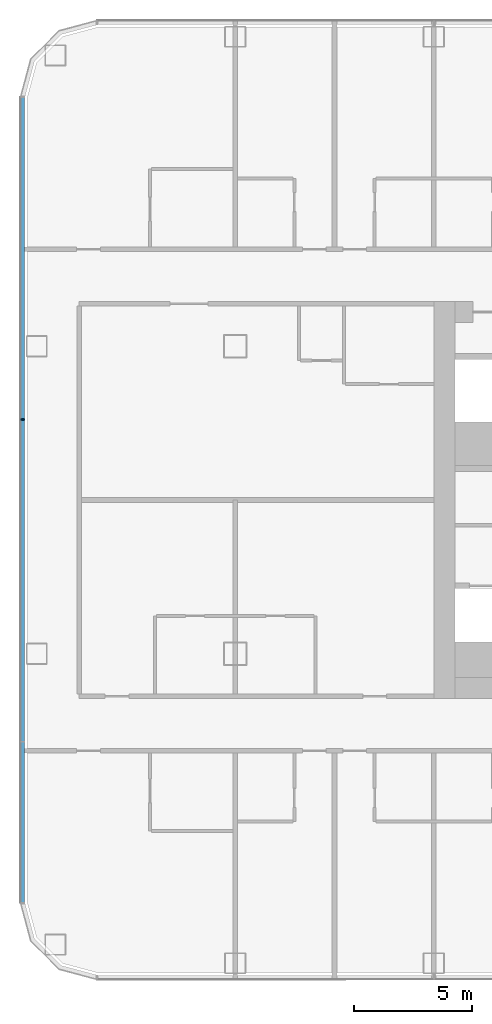
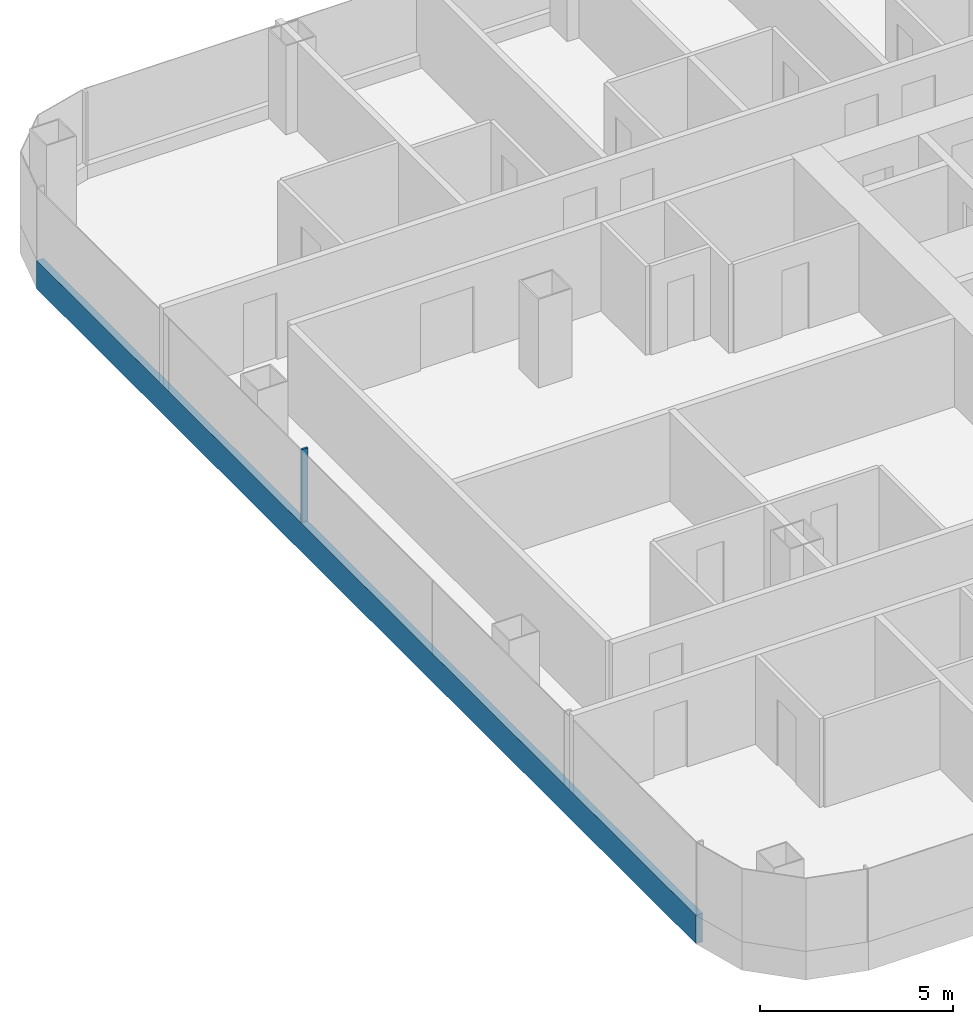
# One storey, part 3 of 29: 2 members, 1 element without a shape of its own.
"""IFC4 building model written with IfcOpenShell, lengths in metres."""

from ifc_helpers import new_model, si_unit, direction, frame, origin, origin_2d, place, context, subcontext, project, spatial, rectangle, extrude, material, layer, layer_set, material_profile, profile_set, type_object, element, aggregate, save


model = new_model("IFC4")

# Units and contexts
model_context = context("Model", 3, precision=1e-05, world=origin(), true_north=direction((0.0, 1.0)))
body_context = subcontext(model_context, "Body", "Model", "MODEL_VIEW")
ifc_project = project(units=[si_unit("LENGTHUNIT", "METRE"), si_unit("AREAUNIT", "SQUARE_METRE"), si_unit("VOLUMEUNIT", "CUBIC_METRE"), si_unit("PLANEANGLEUNIT", "RADIAN"), si_unit("MASSUNIT", "GRAM", prefix="KILO")], contexts=[model_context])

# Site, building, storey
site_placement = place(None, origin())
site = spatial("IfcSite", under=ifc_project, at=site_placement, CompositionType="ELEMENT")
building_placement = place(site_placement, origin())
building = spatial("IfcBuilding", under=site, at=building_placement, Name="Hakoniwa Tower and Hamabe Station Hall", CompositionType="ELEMENT")
storey_placement = place(building_placement, frame((0.0, 0.0, 23.0)))
storey = spatial("IfcBuildingStorey", under=building, at=storey_placement, Name="L05", CompositionType="ELEMENT", Elevation=23.0)

# Curtain wall, members
ifc_material_1 = material(Name="Dark low-e laminated glass", Category="glass")
ifc_layer = layer(ifc_material_1, 0.199951171875)
ifc_layer_set = layer_set([ifc_layer], Name="CW-1 UNITISED GUEST")
curtain_wall_type = type_object("IfcCurtainWallType", Name="CW-1 UNITISED GUEST", PredefinedType="NOTDEFINED", material=ifc_layer_set)
curtain_wall_placement = place(storey_placement, origin())
curtain_wall = element("IfcCurtainWall", 1, at=curtain_wall_placement, inside=storey, type_object=curtain_wall_type, Name="CW-1 curtain wall", PredefinedType="NOTDEFINED")
ifc_material_2 = material(Name="Aluminium 6063-T5 black anodised", Category="aluminium")
ifc_material_profile_1 = material_profile(ifc_material_2, rectangle(XDim=0.199951171875, YDim=0.89990234375, at=origin_2d()), Name="CW SLAB-EDGE BAND 900X200")
ifc_profile_set_1 = profile_set([ifc_material_profile_1], Name="Aluminium 6063-T5 black anodised")
member_type_1 = type_object("IfcMemberType", Name="CW SLAB-EDGE BAND 900X200", PredefinedType="USERDEFINED", material=ifc_profile_set_1)
member_1_placement = place(storey_placement, frame((-51.0, 17.03955078125, -0.10009765625), z_axis=(0.0, -1.0, 0.0), x_axis=(1.0, 0.0, 0.0)))
member_1 = element("IfcMember", 2, at=member_1_placement, type_object=member_type_1, Name="CW-1 transom", ObjectType="TRANSOM", PredefinedType="USERDEFINED", context=body_context, shape_type="SweptSolid", body=[
    extrude(rectangle(XDim=0.199951171875, YDim=0.89990234375, at=origin_2d()), origin(), (0.0, 0.0, 1.0), 34.0791015625),
])
ifc_material_3 = material(Name="Aluminium 6063-T5 black anodised", Category="aluminium")
ifc_material_profile_2 = material_profile(ifc_material_3, rectangle(XDim=0.06005859375, YDim=0.179931640625, at=origin_2d()), Name="CW-1 MULLION 60X180")
ifc_profile_set_2 = profile_set([ifc_material_profile_2], Name="Aluminium 6063-T5 black anodised")
member_type_2 = type_object("IfcMemberType", Name="CW-1 MULLION 60X180", PredefinedType="MULLION", material=ifc_profile_set_2)
member_2_placement = place(storey_placement, frame((-50.98193359375, 3.407958984375, 0.35009765625), z_axis=(0.0, 0.0, 1.0), x_axis=(0.0, -1.0, 0.0)))
member_2 = element("IfcMember", 3, at=member_2_placement, type_object=member_type_2, Name="CW-1 mullion", PredefinedType="MULLION", context=body_context, shape_type="SweptSolid", body=[
    extrude(rectangle(XDim=0.06005859375, YDim=0.179931640625, at=origin_2d()), origin(), (0.0, 0.0, 1.0), 2.2998046875),
])
aggregate(curtain_wall, [member_2, member_1])

save(model, "model.ifc")
